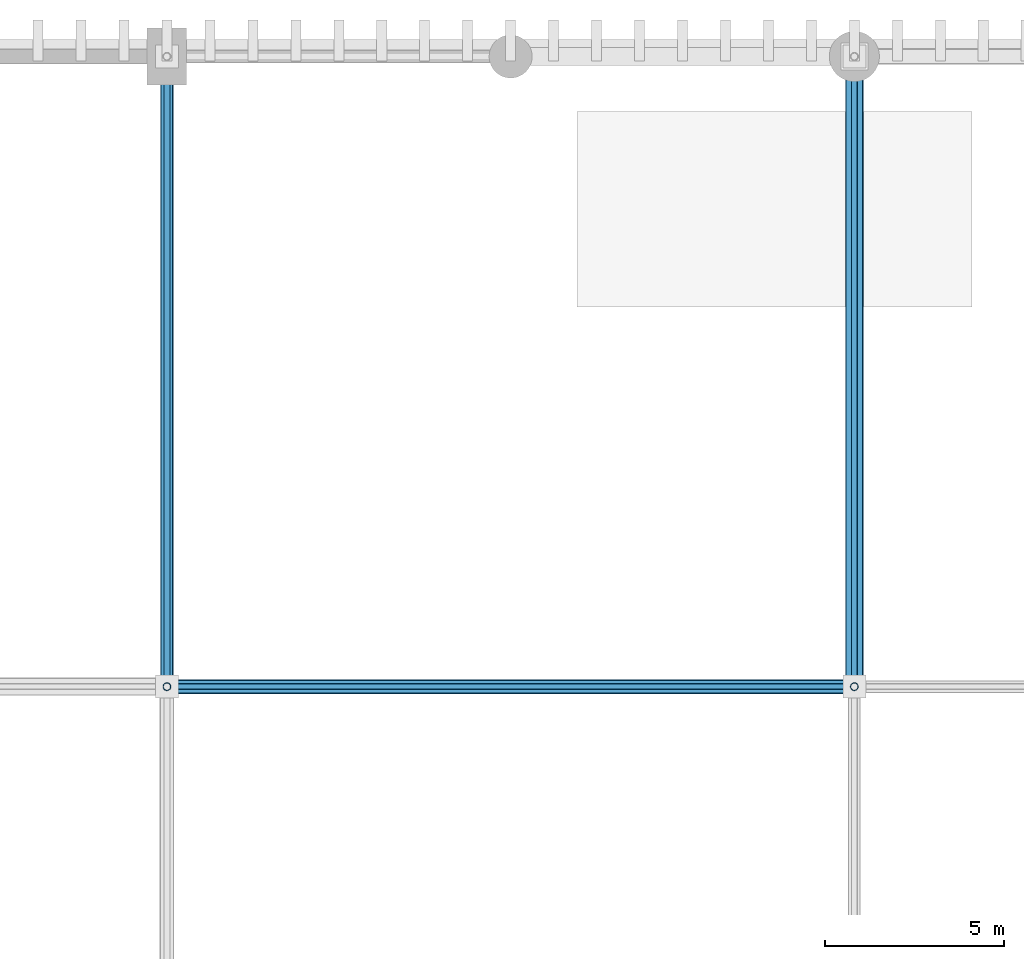
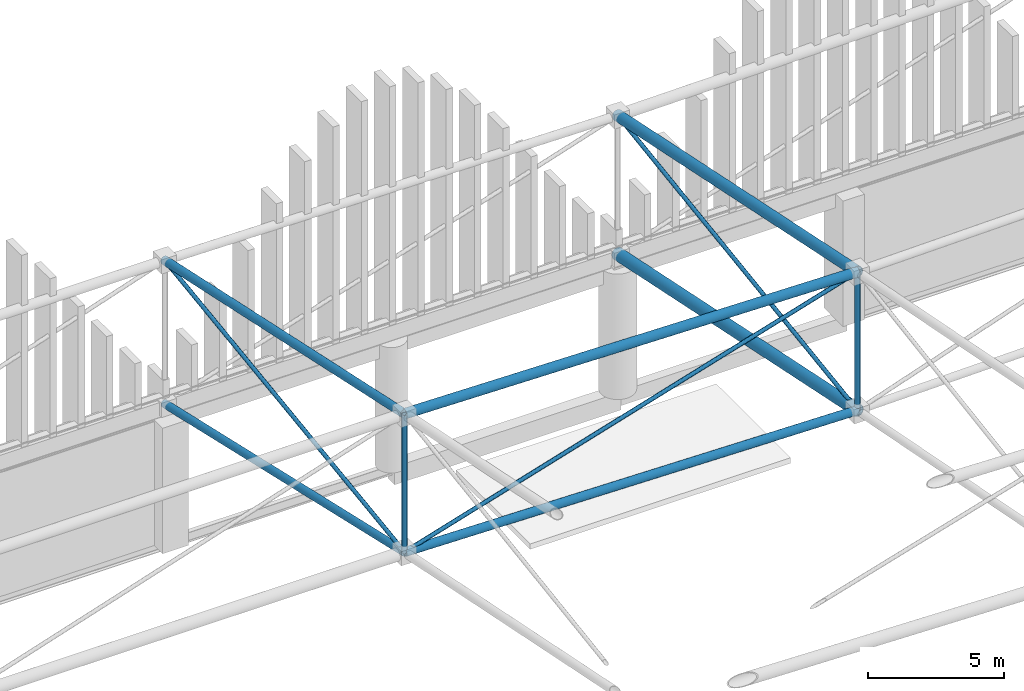
# One storey, part 126 of 193: 11 members.
"""IFC4 building model written with IfcOpenShell, lengths in metres."""

from ifc_helpers import new_model, si_unit, direction, frame, origin, origin_2d, place, context, subcontext, project, spatial, hollow_circle, extrude, material, material_profile, profile_set, type_object, element, save


model = new_model("IFC4")

# Units and contexts
model_context = context("Model", 3, precision=1e-05, world=origin(), true_north=direction((0.0, 1.0)))
body_context = subcontext(model_context, "Body", "Model", "MODEL_VIEW")
ifc_project = project(units=[si_unit("LENGTHUNIT", "METRE"), si_unit("AREAUNIT", "SQUARE_METRE"), si_unit("VOLUMEUNIT", "CUBIC_METRE"), si_unit("PLANEANGLEUNIT", "RADIAN"), si_unit("MASSUNIT", "GRAM", prefix="KILO")], contexts=[model_context])

# Site, building, storey
site_placement = place(None, origin())
site = spatial("IfcSite", under=ifc_project, at=site_placement, CompositionType="ELEMENT")
building_placement = place(site_placement, origin())
building = spatial("IfcBuilding", under=site, at=building_placement, Name="Danafjord Basin Convention Centre", CompositionType="ELEMENT")
storey_placement = place(building_placement, frame((0.0, 0.0, 11.39990234375)))
storey = spatial("IfcBuildingStorey", under=building, at=storey_placement, Name="L02", CompositionType="ELEMENT", Elevation=11.39990234375)

# Members
ifc_material = material(Name="Steel S355", Category="steel")
ifc_material_profile_1 = material_profile(ifc_material, hollow_circle(Radius=0.161865234375, WallThickness=0.01611328125, at=origin_2d()), Name="CHS 323.9x16.0")
ifc_profile_set_1 = profile_set([ifc_material_profile_1], Name="Steel S355")
member_type_1 = type_object("IfcMemberType", Name="MEM-CH-CHS324", PredefinedType="CHORD", material=ifc_profile_set_1)
member_1_placement = place(storey_placement, frame((38.39990234375, 126.39990234375, 10.07080078125), z_axis=(0.0, 0.97488409866, -0.222712806503), x_axis=(-1.0, 0.0, 0.0)))
element("IfcMember", 1, at=member_1_placement, inside=storey, type_object=member_type_1, Name="V1 roof truss transverse bottom chord", PredefinedType="CHORD", context=body_context, shape_type="SweptSolid", body=[
    extrude(hollow_circle(Radius=0.161865234375, WallThickness=0.01611328125, at=origin_2d()), origin(), (0.0, 0.0, 1.0), 18.053466796875),
])
ifc_material_profile_2 = material_profile(ifc_material, hollow_circle(Radius=0.177734375, WallThickness=0.01611328125, at=origin_2d()), Name="CHS 355.6x16.0")
ifc_profile_set_2 = profile_set([ifc_material_profile_2], Name="Steel S355")
member_type_2 = type_object("IfcMemberType", Name="MEM-CH-CHS355", PredefinedType="CHORD", material=ifc_profile_set_2)
member_2_placement = place(storey_placement, frame((38.39990234375, 126.39990234375, 10.07080078125), z_axis=(0.999824402075, 0.0, -0.018739397394), x_axis=(0.0, 1.0, 0.0)))
element("IfcMember", 2, at=member_2_placement, inside=storey, type_object=member_type_2, Name="V1 roof truss longitudinal bottom chord", PredefinedType="CHORD", context=body_context, shape_type="SweptSolid", body=[
    extrude(hollow_circle(Radius=0.177734375, WallThickness=0.01611328125, at=origin_2d()), origin(), (0.0, 0.0, 1.0), 19.20361328125),
])
member_3_placement = place(storey_placement, frame((38.39990234375, 126.39990234375, 16.27099609375), z_axis=(0.0, 0.977523345498, -0.210827201773), x_axis=(-1.0, 0.0, 0.0)))
element("IfcMember", 3, at=member_3_placement, inside=storey, type_object=member_type_2, Name="V1 roof truss transverse top chord", PredefinedType="CHORD", context=body_context, shape_type="SweptSolid", body=[
    extrude(hollow_circle(Radius=0.177734375, WallThickness=0.01611328125, at=origin_2d()), origin(), (0.0, 0.0, 1.0), 18.0048828125),
])
ifc_material_profile_3 = material_profile(ifc_material, hollow_circle(Radius=0.203125, WallThickness=0.02001953125, at=origin_2d()), Name="CHS 406.4x20.0")
ifc_profile_set_3 = profile_set([ifc_material_profile_3], Name="Steel S355")
member_type_3 = type_object("IfcMemberType", Name="MEM-CH-CHS406", PredefinedType="CHORD", material=ifc_profile_set_3)
member_4_placement = place(storey_placement, frame((38.39990234375, 126.39990234375, 16.27099609375), z_axis=(0.999824163797, 0.0, -0.01875210622), x_axis=(0.0, 1.0, 0.0)))
element("IfcMember", 4, at=member_4_placement, inside=storey, type_object=member_type_3, Name="V1 roof truss longitudinal top chord", PredefinedType="CHORD", context=body_context, shape_type="SweptSolid", body=[
    extrude(hollow_circle(Radius=0.203125, WallThickness=0.02001953125, at=origin_2d()), origin(), (0.0, 0.0, 1.0), 19.20361328125),
])
ifc_material_profile_4 = material_profile(ifc_material, hollow_circle(Radius=0.228515625, WallThickness=0.02001953125, at=origin_2d()), Name="CHS 457.0x20.0")
ifc_profile_set_4 = profile_set([ifc_material_profile_4], Name="Steel S355")
member_type_4 = type_object("IfcMemberType", Name="MEM-CH-CHS457", PredefinedType="CHORD", material=ifc_profile_set_4)
member_5_placement = place(storey_placement, frame((57.60009765625, 126.39990234375, 15.910888671875), z_axis=(0.0, 0.979044772718, -0.203645115368), x_axis=(-1.0, 0.0, 0.0)))
element("IfcMember", 5, at=member_5_placement, inside=storey, type_object=member_type_4, Name="V1 roof truss transverse top chord", PredefinedType="CHORD", context=body_context, shape_type="SweptSolid", body=[
    extrude(hollow_circle(Radius=0.228515625, WallThickness=0.02001953125, at=origin_2d()), origin(), (0.0, 0.0, 1.0), 17.976806640625),
])
ifc_material_profile_5 = material_profile(ifc_material, hollow_circle(Radius=0.25390625, WallThickness=0.02490234375, at=origin_2d()), Name="CHS 508.0x25.0")
ifc_profile_set_5 = profile_set([ifc_material_profile_5], Name="Steel S355")
member_type_5 = type_object("IfcMemberType", Name="MEM-CH-CHS508", PredefinedType="CHORD", material=ifc_profile_set_5)
member_6_placement = place(storey_placement, frame((57.60009765625, 126.39990234375, 9.7109375), z_axis=(0.0, 0.979044772718, -0.203645115368), x_axis=(-1.0, 0.0, 0.0)))
element("IfcMember", 6, at=member_6_placement, inside=storey, type_object=member_type_5, Name="V1 roof truss transverse bottom chord", PredefinedType="CHORD", context=body_context, shape_type="SweptSolid", body=[
    extrude(hollow_circle(Radius=0.25390625, WallThickness=0.02490234375, at=origin_2d()), origin(), (0.0, 0.0, 1.0), 17.976806640625),
])
ifc_material_profile_6 = material_profile(ifc_material, hollow_circle(Radius=0.109619140625, WallThickness=0.010009765625, at=origin_2d()), Name="CHS 219.1x10.0")
ifc_profile_set_6 = profile_set([ifc_material_profile_6], Name="Steel S355")
member_type_6 = type_object("IfcMemberType", Name="MEM-ST-CHS219", PredefinedType="STRUT", material=ifc_profile_set_6)
member_7_placement = place(storey_placement, frame((38.39990234375, 126.39990234375, 10.07080078125), z_axis=(0.0, 0.0, 1.0), x_axis=(1.0, 0.0, 0.0)))
element("IfcMember", 7, at=member_7_placement, inside=storey, type_object=member_type_6, Name="V1 roof truss vertical strut", PredefinedType="STRUT", context=body_context, shape_type="SweptSolid", body=[
    extrude(hollow_circle(Radius=0.109619140625, WallThickness=0.010009765625, at=origin_2d()), origin(), (0.0, 0.0, 1.0), 6.2001953125),
])
member_8_placement = place(storey_placement, frame((57.60009765625, 126.39990234375, 9.7109375), z_axis=(0.0, 0.0, 1.0), x_axis=(1.0, 0.0, 0.0)))
element("IfcMember", 8, at=member_8_placement, inside=storey, type_object=member_type_6, Name="V1 roof truss vertical strut", PredefinedType="STRUT", context=body_context, shape_type="SweptSolid", body=[
    extrude(hollow_circle(Radius=0.109619140625, WallThickness=0.010009765625, at=origin_2d()), origin(), (0.0, 0.0, 1.0), 6.199951171875),
])
ifc_material_profile_7 = material_profile(ifc_material, hollow_circle(Radius=0.084228515625, WallThickness=0.008056640625, at=origin_2d()), Name="CHS 168.3x8.0")
ifc_profile_set_7 = profile_set([ifc_material_profile_7], Name="Steel S355")
member_type_7 = type_object("IfcMemberType", Name="MEM-WB-CHS168", PredefinedType="MEMBER", material=ifc_profile_set_7)
member_9_placement = place(storey_placement, frame((38.39990234375, 126.39990234375, 10.07080078125), z_axis=(0.956721749639, 0.0, 0.291004284791), x_axis=(0.0, 1.0, 0.0)))
element("IfcMember", 9, at=member_9_placement, inside=storey, type_object=member_type_7, Name="V1 space-frame longitudinal web", PredefinedType="MEMBER", context=body_context, shape_type="SweptSolid", body=[
    extrude(hollow_circle(Radius=0.084228515625, WallThickness=0.008056640625, at=origin_2d()), origin(), (0.0, 0.0, 1.0), 20.06884765625),
])
member_10_placement = place(storey_placement, frame((38.39990234375, 126.39990234375, 10.07080078125), z_axis=(0.0, 0.990797856926, 0.13534994167), x_axis=(-1.0, 0.0, 0.0)))
element("IfcMember", 10, at=member_10_placement, inside=storey, type_object=member_type_7, Name="V1 space-frame transverse web", PredefinedType="MEMBER", context=body_context, shape_type="SweptSolid", body=[
    extrude(hollow_circle(Radius=0.084228515625, WallThickness=0.008056640625, at=origin_2d()), origin(), (0.0, 0.0, 1.0), 17.763671875),
])
member_11_placement = place(storey_placement, frame((57.60009765625, 126.39990234375, 9.7109375), z_axis=(0.0, 0.989753595292, 0.142785925802), x_axis=(-1.0, 0.0, 0.0)))
element("IfcMember", 11, at=member_11_placement, inside=storey, type_object=member_type_7, Name="V1 space-frame transverse web", PredefinedType="MEMBER", context=body_context, shape_type="SweptSolid", body=[
    extrude(hollow_circle(Radius=0.084228515625, WallThickness=0.008056640625, at=origin_2d()), origin(), (0.0, 0.0, 1.0), 17.7822265625),
])

save(model, "model.ifc")
